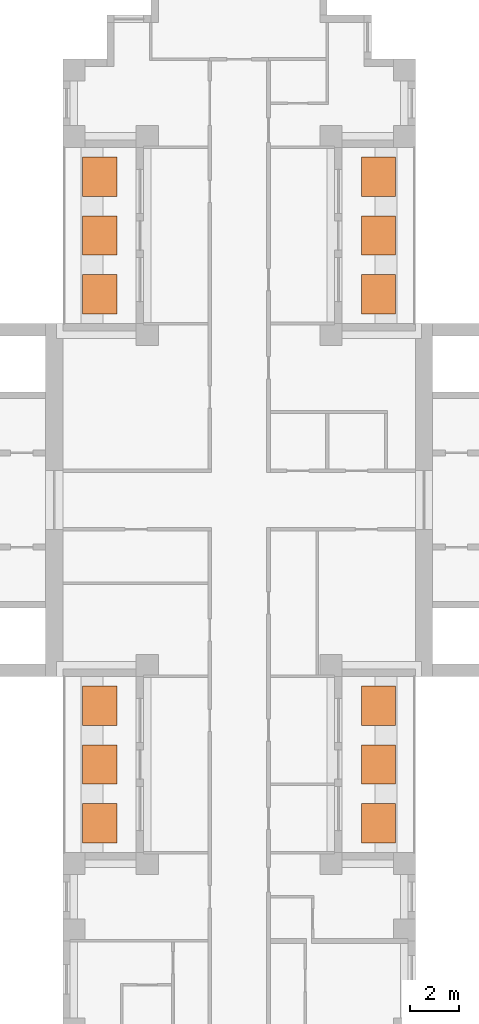
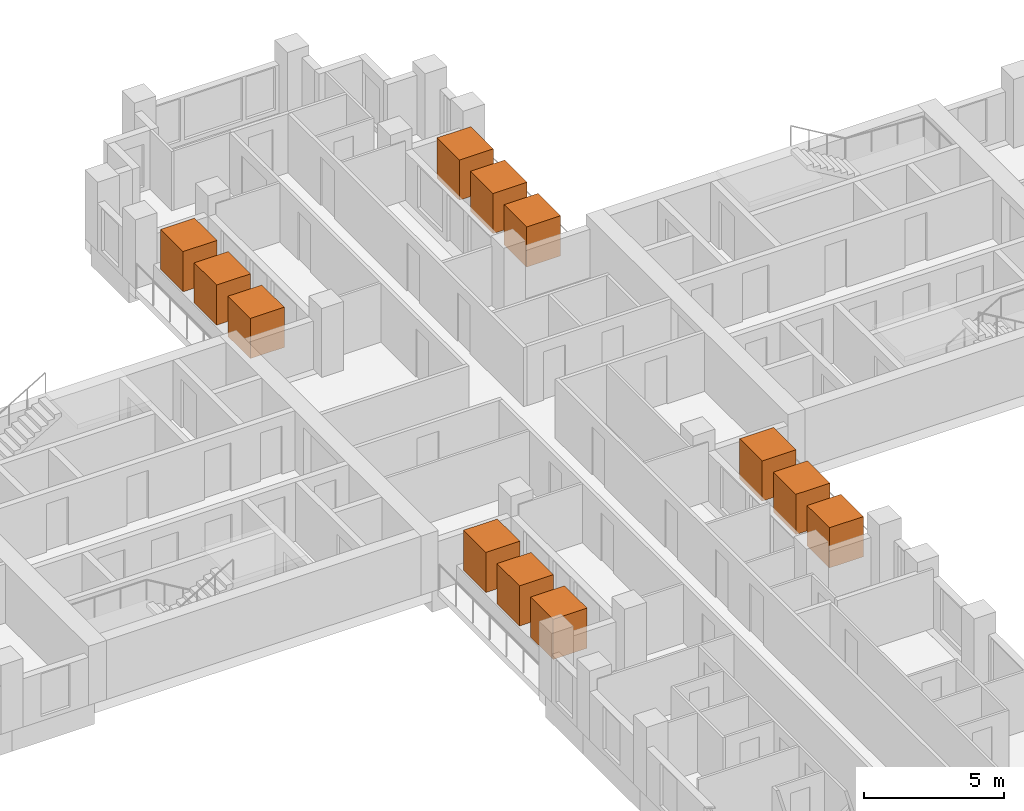
# One storey, part 13 of 13: 12 geographic elements.
"""IFC4 building model written with IfcOpenShell, lengths in metres."""

from ifc_helpers import new_model, si_unit, direction, frame, origin, origin_2d, place, context, subcontext, project, spatial, rectangle, extrude, material, element, save


model = new_model("IFC4")

# Units and contexts
model_context = context("Model", 3, precision=1e-05, world=origin(), true_north=direction((0.0, 1.0)))
body_context = subcontext(model_context, "Body", "Model", "MODEL_VIEW")
ifc_project = project(units=[si_unit("LENGTHUNIT", "METRE"), si_unit("AREAUNIT", "SQUARE_METRE"), si_unit("VOLUMEUNIT", "CUBIC_METRE"), si_unit("PLANEANGLEUNIT", "RADIAN"), si_unit("MASSUNIT", "GRAM", prefix="KILO")], contexts=[model_context])

# Site, building, storey
site_placement = place(None, origin())
site = spatial("IfcSite", under=ifc_project, at=site_placement, CompositionType="ELEMENT")
building_placement = place(site_placement, origin())
building = spatial("IfcBuilding", under=site, at=building_placement, Name="Fustian Cross Tower", CompositionType="ELEMENT")
storey_placement = place(building_placement, frame((0.0, 0.0, 87.89990234375)))
storey = spatial("IfcBuildingStorey", under=building, at=storey_placement, Name="L27", CompositionType="ELEMENT", Elevation=87.89990234375)

# Geographic elements
ifc_material = material(Name="Evergreen foliage")
for number, where, z_axis, x_axis, name in (
    (1, (5.68994140625, 8.39990234375, 0.800048828125), (0.0, 0.0, 1.0), (1.0, 0.0, 0.0), "TREE field maple"),
    (2, (5.68994140625, 10.800048828125, 0.800048828125), (0.0, 0.0, 1.0), (1.0, 0.0, 0.0), "TREE field maple"),
    (3, (5.68994140625, 13.199951171875, 0.800048828125), (0.0, 0.0, 1.0), (1.0, 0.0, 0.0), "TREE field maple"),
    (4, (-5.68994140625, 8.39990234375, 0.800048828125), (0.0, 0.0, 1.0), (1.0, 0.0, 0.0), "TREE field maple"),
    (5, (-5.68994140625, 10.800048828125, 0.800048828125), (0.0, 0.0, 1.0), (1.0, 0.0, 0.0), "TREE field maple"),
    (6, (-5.68994140625, 13.199951171875, 0.800048828125), (0.0, 0.0, 1.0), (1.0, 0.0, 0.0), "TREE field maple"),
    (7, (5.68994140625, -13.199951171875, 0.800048828125), (0.0, 0.0, 1.0), (1.0, 0.0, 0.0), "TREE field maple"),
    (8, (5.68994140625, -10.800048828125, 0.800048828125), (0.0, 0.0, 1.0), (1.0, 0.0, 0.0), "TREE field maple"),
    (9, (5.68994140625, -8.39990234375, 0.800048828125), (0.0, 0.0, 1.0), (1.0, 0.0, 0.0), "TREE field maple"),
    (10, (-5.68994140625, -13.199951171875, 0.800048828125), (0.0, 0.0, 1.0), (1.0, 0.0, 0.0), "TREE field maple"),
    (11, (-5.68994140625, -10.800048828125, 0.800048828125), (0.0, 0.0, 1.0), (1.0, 0.0, 0.0), "TREE field maple"),
    (12, (-5.68994140625, -8.39990234375, 0.800048828125), (0.0, 0.0, 1.0), (1.0, 0.0, 0.0), "TREE field maple"),
):
    element("IfcGeographicElement", number, at=place(storey_placement, frame(where, z_axis=z_axis, x_axis=x_axis)), inside=storey, material=ifc_material, Name=name, ObjectType="VEGETATION", PredefinedType="USERDEFINED", context=body_context, shape_type="SweptSolid", body=[
        extrude(rectangle(XDim=1.39990234375, YDim=1.60009765625, at=origin_2d()), origin(), (0.0, 0.0, 1.0), 1.75),
    ])

save(model, "model.ifc")
